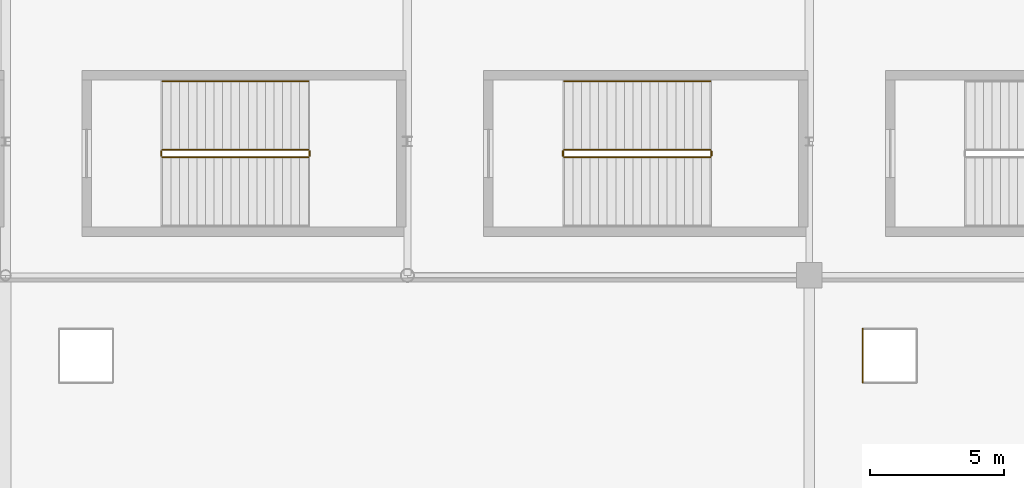
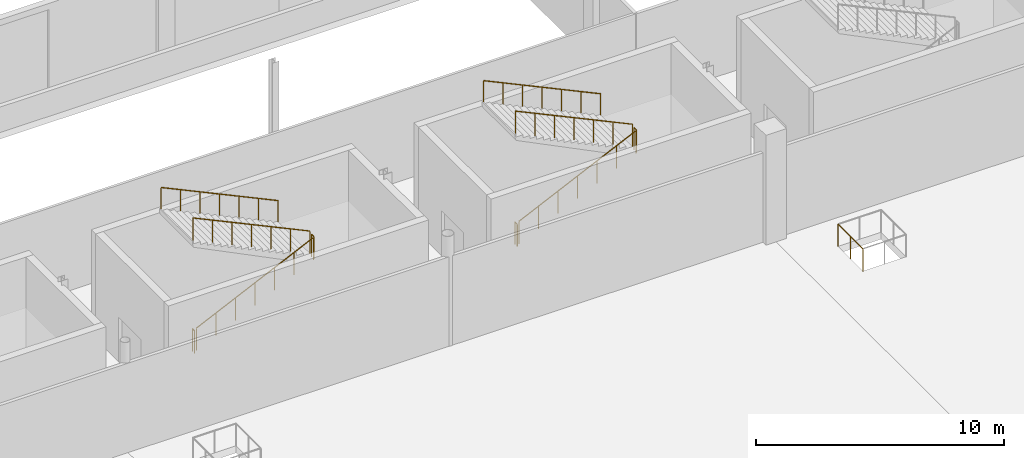
# One storey, part 79 of 94: 11 railings.
"""IFC4 building model written with IfcOpenShell, lengths in metres."""

import ifcopenshell
import ifcopenshell.guid

model = None  # the IFC model being written
_history = None  # IfcOwnerHistory: only IFC2X3 demands one
_inside = {}  # id of a spatial element -> (the spatial element, [elements in it])
_under = {}  # id of a project, library or spatial element -> (it, [spatial elements below it])
_declared = {}  # id of a project -> (the project, [libraries it declares])
_typed = {}  # id of a type object -> (the type object, [elements of that type])
_made_of = {}  # id of a material, layer set ... -> (it, [elements and type objects made of it])


def new_model(schema):
    """Start an empty IFC model of exactly this schema.

    Asked for "IFC4X3", IfcOpenShell would pick the latest addendum, in which some entities
    have other attributes; the version numbers below select the first issue.
    IFC2X3 requires an IfcOwnerHistory on every rooted entity: one is made here for all.
    """
    global model, _history
    if schema == "IFC4X3":
        model = ifcopenshell.file(schema_version=(4, 3, 0, 0))
    else:
        model = ifcopenshell.file(schema=schema)
    _inside.clear()
    _under.clear()
    _declared.clear()
    _typed.clear()
    _made_of.clear()
    _history = None
    if model.schema == "IFC2X3":
        org = make("IfcOrganization", Name="unknown")
        user = make(
            "IfcPersonAndOrganization",
            ThePerson=make("IfcPerson", FamilyName="unknown"),
            TheOrganization=org,
        )
        app = make(
            "IfcApplication",
            ApplicationDeveloper=org,
            Version="unknown",
            ApplicationFullName="unknown",
            ApplicationIdentifier="unknown",
        )
        _history = make(
            "IfcOwnerHistory",
            OwningUser=user,
            OwningApplication=app,
            ChangeAction="ADDED",
            CreationDate=0,
        )
    return model


def make(cls, **values):
    """One entity of the class cls with the attributes given. An attribute that is None is left unset."""
    return model.create_entity(
        cls, **{name: value for name, value in values.items() if value is not None}
    )


def rooted(cls, **values):
    """An entity with a GlobalId (a new one), such as an element, a storey or a relation."""
    return make(cls, GlobalId=ifcopenshell.guid.new(), OwnerHistory=_history, **values)


def si_unit(unit_type, name, prefix=None):
    """IfcSIUnit, for example si_unit("LENGTHUNIT", "METRE", prefix="MILLI")."""
    return make("IfcSIUnit", UnitType=unit_type, Prefix=prefix, Name=name)


def assignment(units):
    """IfcUnitAssignment: the units of a project."""
    return None if units is None else make("IfcUnitAssignment", Units=units)


def point(xyz):
    """IfcCartesianPoint."""
    return None if xyz is None else make("IfcCartesianPoint", Coordinates=xyz)


def direction(xyz):
    """IfcDirection."""
    return None if xyz is None else make("IfcDirection", DirectionRatios=xyz)


def frame(location, z_axis=None, x_axis=None):
    """IfcAxis2Placement3D, a coordinate frame: its origin and axes. An axis left out is left unset."""
    return make(
        "IfcAxis2Placement3D",
        Location=point(location),
        Axis=direction(z_axis),
        RefDirection=direction(x_axis),
    )


def frame_2d(location, x_axis=None):
    """IfcAxis2Placement2D, a coordinate frame in the plane: its origin and x axis."""
    return make(
        "IfcAxis2Placement2D", Location=point(location), RefDirection=direction(x_axis)
    )


def origin():
    """The frame at (0, 0, 0) with its axes left unset."""
    return frame((0.0, 0.0, 0.0))


def origin_2d():
    """The frame at (0, 0) in the plane with its x axis left unset."""
    return frame_2d((0.0, 0.0))


def place(relative_to, where):
    """IfcLocalPlacement: puts the frame where relative to a parent placement (None: the world)."""
    return make(
        "IfcLocalPlacement", PlacementRelTo=relative_to, RelativePlacement=where
    )


def context(
    kind, dimensions, precision=None, world=None, true_north=None, identifier=None
):
    """IfcGeometricRepresentationContext, for example the 3D "Model" context."""
    return make(
        "IfcGeometricRepresentationContext",
        ContextIdentifier=identifier,
        ContextType=kind,
        CoordinateSpaceDimension=dimensions,
        Precision=precision,
        WorldCoordinateSystem=world,
        TrueNorth=true_north,
    )


def subcontext(parent, identifier, kind, view, scale=None):
    """IfcGeometricRepresentationSubContext, for example "Body" below "Model"."""
    return make(
        "IfcGeometricRepresentationSubContext",
        ContextIdentifier=identifier,
        ContextType=kind,
        ParentContext=parent,
        TargetScale=scale,
        TargetView=view,
    )


def project(units=None, contexts=None):
    """IfcProject with its units and contexts."""
    return rooted(
        "IfcProject",
        Name="project",
        RepresentationContexts=contexts,
        UnitsInContext=assignment(units),
    )


def spatial(cls, under=None, at=None, **own):
    """A site, building, storey or space (cls), placed at a placement, below another one or the project."""
    s = rooted(cls, ObjectPlacement=at, **own)
    if under is not None:
        _under.setdefault(under.id(), (under, []))[1].append(s)
    return s


def profile(cls, at=None, kind="AREA", **sizes):
    """A parametric profile (cls). Its sizes go by their IFC names, for example OverallWidth=200.0."""
    return make(cls, ProfileType=kind, Position=at, **sizes)


def circle(**sizes):
    """IfcCircleProfileDef."""
    return profile("IfcCircleProfileDef", **sizes)


def extrude(swept, where, along, depth):
    """IfcExtrudedAreaSolid: the profile swept, set in the frame where, extruded along a direction by depth."""
    return make(
        "IfcExtrudedAreaSolid",
        SweptArea=swept,
        Position=where,
        ExtrudedDirection=direction(along),
        Depth=depth,
    )


def shape(context_of_items, identifier, shape_type, items):
    """IfcShapeRepresentation: the items that make up one representation, for example the "Body"."""
    return make(
        "IfcShapeRepresentation",
        ContextOfItems=context_of_items,
        RepresentationIdentifier=identifier,
        RepresentationType=shape_type,
        Items=items,
    )


def material(Name=None, Category=None):
    """IfcMaterial."""
    return make("IfcMaterial", Name=Name, Category=Category)


def made_of(thing, what):
    """Note that an element or type object is made of a material, layer set ...; save() writes the relation."""
    if what is not None:
        _made_of.setdefault(what.id(), (what, []))[1].append(thing)
    return thing


def type_object(cls, material=None, **own):
    """A type object (cls), such as IfcWallType, which elements share."""
    return made_of(rooted(cls, **own), material)


def element(
    cls,
    number,
    at=None,
    inside=None,
    cuts=None,
    type_object=None,
    material=None,
    context=None,
    identifier="Body",
    shape_type=None,
    held_by="IfcProductDefinitionShape",
    body=None,
    shapes=None,
    **own,
):
    """One element of the class cls, such as IfcWall. Its Tag is "e" and its number.

    at: its placement. inside: the storey or other place that contains it. cuts: it is an
    opening in that element (IfcRelVoidsElement). A single representation is given by context,
    identifier, shape_type and body (its items); several are given by shapes. held_by: the class
    of the entity that holds the representations. save() writes the other relations.
    """
    e = rooted(cls, Tag="e%d" % number, ObjectPlacement=at, **own)
    if body is not None:
        shapes = [shape(context, identifier, shape_type, body)]
    if shapes is not None:
        e.Representation = make(held_by, Representations=shapes)
    if inside is not None:
        _inside.setdefault(inside.id(), (inside, []))[1].append(e)
    if cuts is not None:
        rooted(
            "IfcRelVoidsElement", RelatingBuildingElement=cuts, RelatedOpeningElement=e
        )
    if type_object is not None:
        _typed.setdefault(type_object.id(), (type_object, []))[1].append(e)
    return made_of(e, material)


def aggregate(whole, parts):
    """IfcRelAggregates: a whole, such as a stair, and the parts it consists of."""
    return rooted("IfcRelAggregates", RelatingObject=whole, RelatedObjects=parts)


def save(model, path):
    """Write the relations noted so far, then the file.

    IfcRelAggregates (storeys below a building ...), IfcRelContainedInSpatialStructure (elements
    in a storey), IfcRelDefinesByType, IfcRelAssociatesMaterial and IfcRelDeclares: one each for
    every whole, place, type object, material and project.
    """
    for whole, parts in _under.values():
        aggregate(whole, parts)
    for where, things in _inside.values():
        rooted(
            "IfcRelContainedInSpatialStructure",
            RelatedElements=things,
            RelatingStructure=where,
        )
    for kind, things in _typed.values():
        rooted("IfcRelDefinesByType", RelatedObjects=things, RelatingType=kind)
    for what, things in _made_of.values():
        rooted("IfcRelAssociatesMaterial", RelatedObjects=things, RelatingMaterial=what)
    for by, libraries in _declared.values():
        rooted("IfcRelDeclares", RelatingContext=by, RelatedDefinitions=libraries)
    model.write(path)


model = new_model("IFC4")

# Units and contexts
model_context = context("Model", 3, precision=1e-05, world=origin(), true_north=direction((0.0, 1.0)))
body_context = subcontext(model_context, "Body", "Model", "MODEL_VIEW")
ifc_project = project(units=[si_unit("LENGTHUNIT", "METRE"), si_unit("AREAUNIT", "SQUARE_METRE"), si_unit("VOLUMEUNIT", "CUBIC_METRE"), si_unit("PLANEANGLEUNIT", "RADIAN"), si_unit("MASSUNIT", "GRAM", prefix="KILO")], contexts=[model_context])

# Site, building, storey
site_placement = place(None, origin())
site = spatial("IfcSite", under=ifc_project, at=site_placement, CompositionType="ELEMENT")
building_placement = place(site_placement, origin())
building = spatial("IfcBuilding", under=site, at=building_placement, Name="Qamarlyn Nura Convention Centre", CompositionType="ELEMENT")
storey_placement = place(building_placement, origin())
storey = spatial("IfcBuildingStorey", under=building, at=storey_placement, Name="L00", CompositionType="ELEMENT", Elevation=0.0)

# Railings
ifc_material = material(Name="Marine Grade 316 stainless steel", Category="steel")
railing_type_1 = type_object("IfcRailingType", Name="GRD-STAIR-112", PredefinedType="BALUSTRADE", material=ifc_material)
railing_1_placement = place(storey_placement, frame((35.860107421875, 107.409912109375, 0.14990234375)))
element("IfcRailing", 1, at=railing_1_placement, inside=storey, type_object=railing_type_1, Name="L00 ST-02 stair guard 1", PredefinedType="BALUSTRADE", context=body_context, shape_type="SweptSolid", body=[
    extrude(circle(Radius=0.02392578125, at=origin_2d()), frame((0.0, 0.0, 1.09619140625), z_axis=(0.90545405566, 0.0, 0.424444287379), x_axis=(0.0, 1.0, 0.0)), (0.0, 0.0, 1.0), 6.008056640625),
    extrude(circle(Radius=0.02099609375, at=origin_2d()), origin(), (0.0, 0.0, 1.0), 1.070068359375),
    extrude(circle(Radius=0.02099609375, at=origin_2d()), frame((0.90673828125, 0.0, 0.425048828125)), (0.0, 0.0, 1.0), 1.070068359375),
    extrude(circle(Radius=0.02099609375, at=origin_2d()), frame((1.813232421875, 0.0, 0.85009765625)), (0.0, 0.0, 1.0), 1.070068359375),
    extrude(circle(Radius=0.02099609375, at=origin_2d()), frame((2.719970703125, 0.0, 1.27490234375)), (0.0, 0.0, 1.0), 1.070068359375),
    extrude(circle(Radius=0.02099609375, at=origin_2d()), frame((3.626708984375, 0.0, 1.699951171875)), (0.0, 0.0, 1.0), 1.070068359375),
    extrude(circle(Radius=0.02099609375, at=origin_2d()), frame((4.533203125, 0.0, 2.125)), (0.0, 0.0, 1.0), 1.070068359375),
    extrude(circle(Radius=0.02099609375, at=origin_2d()), frame((5.43994140625, 0.0, 2.550048828125)), (0.0, 0.0, 1.0), 1.070068359375),
])
railing_2_placement = place(storey_placement, frame((41.35009765625, 107.4599609375, 2.699951171875)))
element("IfcRailing", 2, at=railing_2_placement, inside=storey, type_object=railing_type_1, Name="L00 ST-02 stair guard 2", PredefinedType="BALUSTRADE", context=body_context, shape_type="SweptSolid", body=[
    extrude(circle(Radius=0.02392578125, at=origin_2d()), frame((0.0, 0.0, 1.09619140625), z_axis=(0.0, 1.0, 0.0), x_axis=(-1.0, 0.0, 0.0)), (0.0, 0.0, 1.0), 0.179931640625),
    extrude(circle(Radius=0.02099609375, at=origin_2d()), origin(), (0.0, 0.0, 1.0), 1.070068359375),
    extrude(circle(Radius=0.02099609375, at=origin_2d()), frame((0.0, 0.179931640625, 0.0)), (0.0, 0.0, 1.0), 1.070068359375),
])
railing_3_placement = place(storey_placement, frame((41.300048828125, 107.68994140625, 2.85009765625)))
element("IfcRailing", 3, at=railing_3_placement, inside=storey, type_object=railing_type_1, Name="L00 ST-02 stair guard 3", PredefinedType="BALUSTRADE", context=body_context, shape_type="SweptSolid", body=[
    extrude(circle(Radius=0.02392578125, at=origin_2d()), frame((0.0, 0.0, 1.09619140625), z_axis=(-0.90546967238, 0.0, 0.424410971113), x_axis=(0.0, -1.0, 0.0)), (0.0, 0.0, 1.0), 6.0078125),
    extrude(circle(Radius=0.02099609375, at=origin_2d()), origin(), (0.0, 0.0, 1.0), 1.070068359375),
    extrude(circle(Radius=0.02099609375, at=origin_2d()), frame((-0.90673828125, 0.0, 0.425048828125)), (0.0, 0.0, 1.0), 1.070068359375),
    extrude(circle(Radius=0.02099609375, at=origin_2d()), frame((-1.813232421875, 0.0, 0.849853515625)), (0.0, 0.0, 1.0), 1.070068359375),
    extrude(circle(Radius=0.02099609375, at=origin_2d()), frame((-2.719970703125, 0.0, 1.27490234375)), (0.0, 0.0, 1.0), 1.070068359375),
    extrude(circle(Radius=0.02099609375, at=origin_2d()), frame((-3.626708984375, 0.0, 1.699951171875)), (0.0, 0.0, 1.0), 1.070068359375),
    extrude(circle(Radius=0.02099609375, at=origin_2d()), frame((-4.533203125, 0.0, 2.124755859375)), (0.0, 0.0, 1.0), 1.070068359375),
    extrude(circle(Radius=0.02099609375, at=origin_2d()), frame((-5.43994140625, 0.0, 2.5498046875)), (0.0, 0.0, 1.0), 1.070068359375),
])
railing_4_placement = place(storey_placement, frame((35.81005859375, 107.4599609375, 0.0)))
element("IfcRailing", 4, at=railing_4_placement, inside=storey, type_object=railing_type_1, Name="L00 ST-02 stair guard 4", PredefinedType="BALUSTRADE", context=body_context, shape_type="SweptSolid", body=[
    extrude(circle(Radius=0.02392578125, at=origin_2d()), frame((0.0, 0.0, 1.09619140625), z_axis=(0.0, 1.0, 0.0), x_axis=(-1.0, 0.0, 0.0)), (0.0, 0.0, 1.0), 0.179931640625),
    extrude(circle(Radius=0.02099609375, at=origin_2d()), origin(), (0.0, 0.0, 1.0), 1.070068359375),
    extrude(circle(Radius=0.02099609375, at=origin_2d()), frame((0.0, 0.179931640625, 0.0)), (0.0, 0.0, 1.0), 1.070068359375),
])
railing_5_placement = place(storey_placement, frame((50.860107421875, 107.409912109375, 0.14990234375)))
element("IfcRailing", 5, at=railing_5_placement, inside=storey, type_object=railing_type_1, Name="L00 ST-03 stair guard 1", PredefinedType="BALUSTRADE", context=body_context, shape_type="SweptSolid", body=[
    extrude(circle(Radius=0.02392578125, at=origin_2d()), frame((0.0, 0.0, 1.09619140625), z_axis=(0.90545405566, 0.0, 0.424444287379), x_axis=(0.0, 1.0, 0.0)), (0.0, 0.0, 1.0), 6.008056640625),
    extrude(circle(Radius=0.02099609375, at=origin_2d()), origin(), (0.0, 0.0, 1.0), 1.070068359375),
    extrude(circle(Radius=0.02099609375, at=origin_2d()), frame((0.90673828125, 0.0, 0.425048828125)), (0.0, 0.0, 1.0), 1.070068359375),
    extrude(circle(Radius=0.02099609375, at=origin_2d()), frame((1.813232421875, 0.0, 0.85009765625)), (0.0, 0.0, 1.0), 1.070068359375),
    extrude(circle(Radius=0.02099609375, at=origin_2d()), frame((2.719970703125, 0.0, 1.27490234375)), (0.0, 0.0, 1.0), 1.070068359375),
    extrude(circle(Radius=0.02099609375, at=origin_2d()), frame((3.626708984375, 0.0, 1.699951171875)), (0.0, 0.0, 1.0), 1.070068359375),
    extrude(circle(Radius=0.02099609375, at=origin_2d()), frame((4.533203125, 0.0, 2.125)), (0.0, 0.0, 1.0), 1.070068359375),
    extrude(circle(Radius=0.02099609375, at=origin_2d()), frame((5.43994140625, 0.0, 2.550048828125)), (0.0, 0.0, 1.0), 1.070068359375),
])
railing_6_placement = place(storey_placement, frame((56.35009765625, 107.4599609375, 2.699951171875)))
element("IfcRailing", 6, at=railing_6_placement, inside=storey, type_object=railing_type_1, Name="L00 ST-03 stair guard 2", PredefinedType="BALUSTRADE", context=body_context, shape_type="SweptSolid", body=[
    extrude(circle(Radius=0.02392578125, at=origin_2d()), frame((0.0, 0.0, 1.09619140625), z_axis=(0.0, 1.0, 0.0), x_axis=(-1.0, 0.0, 0.0)), (0.0, 0.0, 1.0), 0.179931640625),
    extrude(circle(Radius=0.02099609375, at=origin_2d()), origin(), (0.0, 0.0, 1.0), 1.070068359375),
    extrude(circle(Radius=0.02099609375, at=origin_2d()), frame((0.0, 0.179931640625, 0.0)), (0.0, 0.0, 1.0), 1.070068359375),
])
railing_7_placement = place(storey_placement, frame((56.300048828125, 107.68994140625, 2.85009765625)))
element("IfcRailing", 7, at=railing_7_placement, inside=storey, type_object=railing_type_1, Name="L00 ST-03 stair guard 3", PredefinedType="BALUSTRADE", context=body_context, shape_type="SweptSolid", body=[
    extrude(circle(Radius=0.02392578125, at=origin_2d()), frame((0.0, 0.0, 1.09619140625), z_axis=(-0.90546967238, 0.0, 0.424410971113), x_axis=(0.0, -1.0, 0.0)), (0.0, 0.0, 1.0), 6.0078125),
    extrude(circle(Radius=0.02099609375, at=origin_2d()), origin(), (0.0, 0.0, 1.0), 1.070068359375),
    extrude(circle(Radius=0.02099609375, at=origin_2d()), frame((-0.90673828125, 0.0, 0.425048828125)), (0.0, 0.0, 1.0), 1.070068359375),
    extrude(circle(Radius=0.02099609375, at=origin_2d()), frame((-1.813232421875, 0.0, 0.849853515625)), (0.0, 0.0, 1.0), 1.070068359375),
    extrude(circle(Radius=0.02099609375, at=origin_2d()), frame((-2.719970703125, 0.0, 1.27490234375)), (0.0, 0.0, 1.0), 1.070068359375),
    extrude(circle(Radius=0.02099609375, at=origin_2d()), frame((-3.626708984375, 0.0, 1.699951171875)), (0.0, 0.0, 1.0), 1.070068359375),
    extrude(circle(Radius=0.02099609375, at=origin_2d()), frame((-4.533203125, 0.0, 2.124755859375)), (0.0, 0.0, 1.0), 1.070068359375),
    extrude(circle(Radius=0.02099609375, at=origin_2d()), frame((-5.43994140625, 0.0, 2.5498046875)), (0.0, 0.0, 1.0), 1.070068359375),
])
railing_8_placement = place(storey_placement, frame((50.81005859375, 107.4599609375, 0.0)))
element("IfcRailing", 8, at=railing_8_placement, inside=storey, type_object=railing_type_1, Name="L00 ST-03 stair guard 4", PredefinedType="BALUSTRADE", context=body_context, shape_type="SweptSolid", body=[
    extrude(circle(Radius=0.02392578125, at=origin_2d()), frame((0.0, 0.0, 1.09619140625), z_axis=(0.0, 1.0, 0.0), x_axis=(-1.0, 0.0, 0.0)), (0.0, 0.0, 1.0), 0.179931640625),
    extrude(circle(Radius=0.02099609375, at=origin_2d()), origin(), (0.0, 0.0, 1.0), 1.070068359375),
    extrude(circle(Radius=0.02099609375, at=origin_2d()), frame((0.0, 0.179931640625, 0.0)), (0.0, 0.0, 1.0), 1.070068359375),
])
railing_type_2 = type_object("IfcRailingType", Name="GRD-VOID-112", PredefinedType="BALUSTRADE", material=ifc_material)
railing_9_placement = place(storey_placement, frame((62.0, 101.0, 0.0)))
element("IfcRailing", 9, at=railing_9_placement, inside=storey, type_object=railing_type_2, Name="L00 slab edge balustrade guard 021", PredefinedType="BALUSTRADE", context=body_context, shape_type="SweptSolid", body=[
    extrude(circle(Radius=0.02392578125, at=origin_2d()), frame((0.0, 0.0, 1.09619140625), z_axis=(0.0, -1.0, 0.0), x_axis=(1.0, 0.0, 0.0)), (0.0, 0.0, 1.0), 2.0),
    extrude(circle(Radius=0.02099609375, at=origin_2d()), origin(), (0.0, 0.0, 1.0), 1.070068359375),
    extrude(circle(Radius=0.02099609375, at=origin_2d()), frame((0.0, -1.0, 0.0)), (0.0, 0.0, 1.0), 1.070068359375),
    extrude(circle(Radius=0.02099609375, at=origin_2d()), frame((0.0, -2.0, 0.0)), (0.0, 0.0, 1.0), 1.070068359375),
])
railing_type_3 = type_object("IfcRailingType", Name="HRL-STAIR-090", PredefinedType="HANDRAIL", material=ifc_material)
for number, where, name in (
    (10, (41.300048828125, 110.25, 3.002197265625), "L00 ST-02 stair handrail 2"),
    (11, (56.300048828125, 110.25, 3.002197265625), "L00 ST-03 stair handrail 2"),
):
    element("IfcRailing", number, at=place(storey_placement, frame(where)), inside=storey, type_object=railing_type_3, Name=name, PredefinedType="HANDRAIL", context=body_context, shape_type="SweptSolid", body=[
        extrude(circle(Radius=0.02392578125, at=origin_2d()), frame((0.0, 0.0, 0.88818359375), z_axis=(-0.90545405566, 0.0, 0.424444287379), x_axis=(0.0, -1.0, 0.0)), (0.0, 0.0, 1.0), 6.008056640625),
        extrude(circle(Radius=0.02099609375, at=origin_2d()), frame((0.0, 0.0, -0.155029296875)), (0.0, 0.0, 1.0), 1.01708984375),
        extrude(circle(Radius=0.02099609375, at=origin_2d()), frame((-0.90673828125, 0.0, 0.27001953125)), (0.0, 0.0, 1.0), 1.01708984375),
        extrude(circle(Radius=0.02099609375, at=origin_2d()), frame((-1.813232421875, 0.0, 0.695068359375)), (0.0, 0.0, 1.0), 1.01708984375),
        extrude(circle(Radius=0.02099609375, at=origin_2d()), frame((-2.719970703125, 0.0, 1.1201171875)), (0.0, 0.0, 1.0), 1.01708984375),
        extrude(circle(Radius=0.02099609375, at=origin_2d()), frame((-3.626708984375, 0.0, 1.544921875)), (0.0, 0.0, 1.0), 1.01708984375),
        extrude(circle(Radius=0.02099609375, at=origin_2d()), frame((-4.533203125, 0.0, 1.969970703125)), (0.0, 0.0, 1.0), 1.01708984375),
        extrude(circle(Radius=0.02099609375, at=origin_2d()), frame((-5.43994140625, 0.0, 2.39501953125)), (0.0, 0.0, 1.0), 1.01708984375),
    ])

save(model, "model.ifc")
